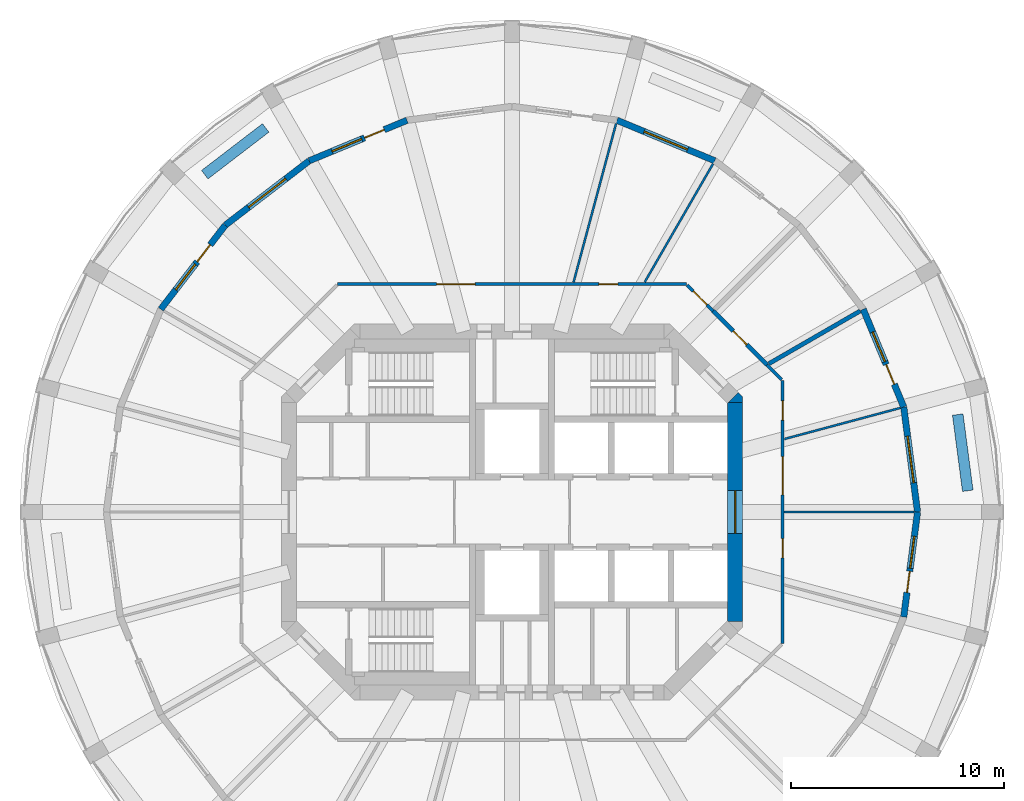
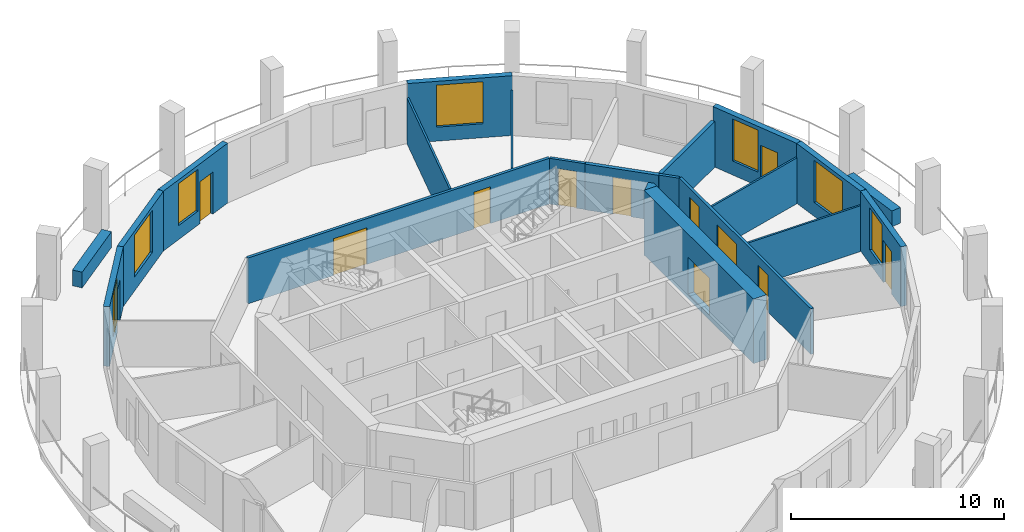
# One storey, part 6 of 9: 21 walls, 12 doors, 7 windows, 19 openings.
"""IFC4 building model written with IfcOpenShell, lengths in metres."""

import ifcopenshell
import ifcopenshell.guid

model = None  # the IFC model being written
_history = None  # IfcOwnerHistory: only IFC2X3 demands one
_inside = {}  # id of a spatial element -> (the spatial element, [elements in it])
_under = {}  # id of a project, library or spatial element -> (it, [spatial elements below it])
_declared = {}  # id of a project -> (the project, [libraries it declares])
_typed = {}  # id of a type object -> (the type object, [elements of that type])
_made_of = {}  # id of a material, layer set ... -> (it, [elements and type objects made of it])


def new_model(schema):
    """Start an empty IFC model of exactly this schema.

    Asked for "IFC4X3", IfcOpenShell would pick the latest addendum, in which some entities
    have other attributes; the version numbers below select the first issue.
    IFC2X3 requires an IfcOwnerHistory on every rooted entity: one is made here for all.
    """
    global model, _history
    if schema == "IFC4X3":
        model = ifcopenshell.file(schema_version=(4, 3, 0, 0))
    else:
        model = ifcopenshell.file(schema=schema)
    _inside.clear()
    _under.clear()
    _declared.clear()
    _typed.clear()
    _made_of.clear()
    _history = None
    if model.schema == "IFC2X3":
        org = make("IfcOrganization", Name="unknown")
        user = make(
            "IfcPersonAndOrganization",
            ThePerson=make("IfcPerson", FamilyName="unknown"),
            TheOrganization=org,
        )
        app = make(
            "IfcApplication",
            ApplicationDeveloper=org,
            Version="unknown",
            ApplicationFullName="unknown",
            ApplicationIdentifier="unknown",
        )
        _history = make(
            "IfcOwnerHistory",
            OwningUser=user,
            OwningApplication=app,
            ChangeAction="ADDED",
            CreationDate=0,
        )
    return model


def make(cls, **values):
    """One entity of the class cls with the attributes given. An attribute that is None is left unset."""
    return model.create_entity(
        cls, **{name: value for name, value in values.items() if value is not None}
    )


def rooted(cls, **values):
    """An entity with a GlobalId (a new one), such as an element, a storey or a relation."""
    return make(cls, GlobalId=ifcopenshell.guid.new(), OwnerHistory=_history, **values)


def si_unit(unit_type, name, prefix=None):
    """IfcSIUnit, for example si_unit("LENGTHUNIT", "METRE", prefix="MILLI")."""
    return make("IfcSIUnit", UnitType=unit_type, Prefix=prefix, Name=name)


def assignment(units):
    """IfcUnitAssignment: the units of a project."""
    return None if units is None else make("IfcUnitAssignment", Units=units)


def point(xyz):
    """IfcCartesianPoint."""
    return None if xyz is None else make("IfcCartesianPoint", Coordinates=xyz)


def direction(xyz):
    """IfcDirection."""
    return None if xyz is None else make("IfcDirection", DirectionRatios=xyz)


def frame(location, z_axis=None, x_axis=None):
    """IfcAxis2Placement3D, a coordinate frame: its origin and axes. An axis left out is left unset."""
    return make(
        "IfcAxis2Placement3D",
        Location=point(location),
        Axis=direction(z_axis),
        RefDirection=direction(x_axis),
    )


def frame_2d(location, x_axis=None):
    """IfcAxis2Placement2D, a coordinate frame in the plane: its origin and x axis."""
    return make(
        "IfcAxis2Placement2D", Location=point(location), RefDirection=direction(x_axis)
    )


def origin():
    """The frame at (0, 0, 0) with its axes left unset."""
    return frame((0.0, 0.0, 0.0))


def place(relative_to, where):
    """IfcLocalPlacement: puts the frame where relative to a parent placement (None: the world)."""
    return make(
        "IfcLocalPlacement", PlacementRelTo=relative_to, RelativePlacement=where
    )


def context(
    kind, dimensions, precision=None, world=None, true_north=None, identifier=None
):
    """IfcGeometricRepresentationContext, for example the 3D "Model" context."""
    return make(
        "IfcGeometricRepresentationContext",
        ContextIdentifier=identifier,
        ContextType=kind,
        CoordinateSpaceDimension=dimensions,
        Precision=precision,
        WorldCoordinateSystem=world,
        TrueNorth=true_north,
    )


def subcontext(parent, identifier, kind, view, scale=None):
    """IfcGeometricRepresentationSubContext, for example "Body" below "Model"."""
    return make(
        "IfcGeometricRepresentationSubContext",
        ContextIdentifier=identifier,
        ContextType=kind,
        ParentContext=parent,
        TargetScale=scale,
        TargetView=view,
    )


def project(units=None, contexts=None):
    """IfcProject with its units and contexts."""
    return rooted(
        "IfcProject",
        Name="project",
        RepresentationContexts=contexts,
        UnitsInContext=assignment(units),
    )


def spatial(cls, under=None, at=None, **own):
    """A site, building, storey or space (cls), placed at a placement, below another one or the project."""
    s = rooted(cls, ObjectPlacement=at, **own)
    if under is not None:
        _under.setdefault(under.id(), (under, []))[1].append(s)
    return s


def polyline(points):
    """IfcPolyline through the points."""
    return make("IfcPolyline", Points=[point(p) for p in points])


def profile(cls, at=None, kind="AREA", **sizes):
    """A parametric profile (cls). Its sizes go by their IFC names, for example OverallWidth=200.0."""
    return make(cls, ProfileType=kind, Position=at, **sizes)


def rectangle(**sizes):
    """IfcRectangleProfileDef."""
    return profile("IfcRectangleProfileDef", **sizes)


def outline(outer, holes=None, kind="AREA"):
    """IfcArbitraryClosedProfileDef: a profile drawn as a closed curve; with holes, ...WithVoids."""
    if holes is None:
        return make("IfcArbitraryClosedProfileDef", ProfileType=kind, OuterCurve=outer)
    return make(
        "IfcArbitraryProfileDefWithVoids",
        ProfileType=kind,
        OuterCurve=outer,
        InnerCurves=holes,
    )


def extrude(swept, where, along, depth):
    """IfcExtrudedAreaSolid: the profile swept, set in the frame where, extruded along a direction by depth."""
    return make(
        "IfcExtrudedAreaSolid",
        SweptArea=swept,
        Position=where,
        ExtrudedDirection=direction(along),
        Depth=depth,
    )


def shape(context_of_items, identifier, shape_type, items):
    """IfcShapeRepresentation: the items that make up one representation, for example the "Body"."""
    return make(
        "IfcShapeRepresentation",
        ContextOfItems=context_of_items,
        RepresentationIdentifier=identifier,
        RepresentationType=shape_type,
        Items=items,
    )


def material(Name=None, Category=None):
    """IfcMaterial."""
    return make("IfcMaterial", Name=Name, Category=Category)


def layer(
    of_material, thickness, ventilated=None, Name=None, Category=None, Priority=None
):
    """IfcMaterialLayer: one layer of a wall or slab, of a material (None: an air gap)."""
    return make(
        "IfcMaterialLayer",
        Material=of_material,
        LayerThickness=thickness,
        IsVentilated=ventilated,
        Name=Name,
        Category=Category,
        Priority=Priority,
    )


def layer_set(layers, Name=None):
    """IfcMaterialLayerSet."""
    return make("IfcMaterialLayerSet", MaterialLayers=layers, LayerSetName=Name)


def made_of(thing, what):
    """Note that an element or type object is made of a material, layer set ...; save() writes the relation."""
    if what is not None:
        _made_of.setdefault(what.id(), (what, []))[1].append(thing)
    return thing


def type_object(cls, material=None, **own):
    """A type object (cls), such as IfcWallType, which elements share."""
    return made_of(rooted(cls, **own), material)


def element(
    cls,
    number,
    at=None,
    inside=None,
    cuts=None,
    type_object=None,
    material=None,
    context=None,
    identifier="Body",
    shape_type=None,
    held_by="IfcProductDefinitionShape",
    body=None,
    shapes=None,
    **own,
):
    """One element of the class cls, such as IfcWall. Its Tag is "e" and its number.

    at: its placement. inside: the storey or other place that contains it. cuts: it is an
    opening in that element (IfcRelVoidsElement). A single representation is given by context,
    identifier, shape_type and body (its items); several are given by shapes. held_by: the class
    of the entity that holds the representations. save() writes the other relations.
    """
    e = rooted(cls, Tag="e%d" % number, ObjectPlacement=at, **own)
    if body is not None:
        shapes = [shape(context, identifier, shape_type, body)]
    if shapes is not None:
        e.Representation = make(held_by, Representations=shapes)
    if inside is not None:
        _inside.setdefault(inside.id(), (inside, []))[1].append(e)
    if cuts is not None:
        rooted(
            "IfcRelVoidsElement", RelatingBuildingElement=cuts, RelatedOpeningElement=e
        )
    if type_object is not None:
        _typed.setdefault(type_object.id(), (type_object, []))[1].append(e)
    return made_of(e, material)


def fill(opening, filler):
    """IfcRelFillsElement: the door or window that sits in an opening."""
    return rooted(
        "IfcRelFillsElement",
        RelatingOpeningElement=opening,
        RelatedBuildingElement=filler,
    )


def aggregate(whole, parts):
    """IfcRelAggregates: a whole, such as a stair, and the parts it consists of."""
    return rooted("IfcRelAggregates", RelatingObject=whole, RelatedObjects=parts)


def save(model, path):
    """Write the relations noted so far, then the file.

    IfcRelAggregates (storeys below a building ...), IfcRelContainedInSpatialStructure (elements
    in a storey), IfcRelDefinesByType, IfcRelAssociatesMaterial and IfcRelDeclares: one each for
    every whole, place, type object, material and project.
    """
    for whole, parts in _under.values():
        aggregate(whole, parts)
    for where, things in _inside.values():
        rooted(
            "IfcRelContainedInSpatialStructure",
            RelatedElements=things,
            RelatingStructure=where,
        )
    for kind, things in _typed.values():
        rooted("IfcRelDefinesByType", RelatedObjects=things, RelatingType=kind)
    for what, things in _made_of.values():
        rooted("IfcRelAssociatesMaterial", RelatedObjects=things, RelatingMaterial=what)
    for by, libraries in _declared.values():
        rooted("IfcRelDeclares", RelatingContext=by, RelatedDefinitions=libraries)
    model.write(path)


model = new_model("IFC4")

# Units and contexts
model_context = context("Model", 3, precision=1e-05, world=origin(), true_north=direction((0.0, 1.0)))
body_context = subcontext(model_context, "Body", "Model", "MODEL_VIEW")
ifc_project = project(units=[si_unit("LENGTHUNIT", "METRE"), si_unit("AREAUNIT", "SQUARE_METRE"), si_unit("VOLUMEUNIT", "CUBIC_METRE"), si_unit("PLANEANGLEUNIT", "RADIAN"), si_unit("MASSUNIT", "GRAM", prefix="KILO")], contexts=[model_context])

# Site, building, storey
site_placement = place(None, origin())
site = spatial("IfcSite", under=ifc_project, at=site_placement, CompositionType="ELEMENT")
building_placement = place(site_placement, origin())
building = spatial("IfcBuilding", under=site, at=building_placement, Name="Torre Triforio", CompositionType="ELEMENT")
storey_placement = place(building_placement, frame((0.0, 0.0, 172.699951171875)))
storey = spatial("IfcBuildingStorey", under=building, at=storey_placement, Name="L39", CompositionType="ELEMENT", Elevation=172.699951171875)

# Wall, opening, door
ifc_material_1 = material(Name="Concrete C50", Category="concrete")
ifc_layer_1 = layer(ifc_material_1, 0.699951171875)
ifc_layer_set_1 = layer_set([ifc_layer_1], Name="Concrete C50")
wall_type_1 = type_object("IfcWallType", Name="Core wall 700 mm C50 EI 120", PredefinedType="SHEAR", material=ifc_layer_set_1)
wall_1_placement = place(storey_placement, frame((10.449951171875, -5.1298828125, -0.280029296875), z_axis=(0.0, 0.0, 1.0), x_axis=(0.0, 1.0, 0.0)))
wall_1 = element("IfcWall", 1, at=wall_1_placement, inside=storey, type_object=wall_type_1, Name="Core wall", PredefinedType="SHEAR", context=body_context, shape_type="SweptSolid", body=[
    extrude(rectangle(XDim=10.259765625, YDim=0.699951171875, at=frame_2d((5.1298828125, 0.0))), origin(), (0.0, 0.0, 1.0), 3.7001953125),
])
opening_1_placement = place(wall_1_placement, frame((4.1298828125, 0.0, 0.280029296875)))
opening_1 = element("IfcOpeningElement", 2, at=opening_1_placement, cuts=wall_1, Name="Opening E-RING", PredefinedType="OPENING", context=body_context, shape_type="SweptSolid", body=[
    extrude(rectangle(XDim=2.0, YDim=2.10009765625, at=frame_2d((1.0, 1.050048828125))), frame((0.0, 0.35986328125, 0.0), z_axis=(0.0, -1.0, 0.0), x_axis=(1.0, 0.0, 0.0)), (0.0, 0.0, 1.0), 0.719970703125),
])
ifc_material_2 = material(Name="Hollow metal fire door leaf")
door_type_1 = type_object("IfcDoorType", Name="Lobby door 2000 x 2100 EI 60", OperationType="DOUBLE_DOOR_SINGLE_SWING", PredefinedType="DOOR", material=ifc_material_2)
door_1_placement = place(opening_1_placement, origin())
door_1 = element("IfcDoor", 3, at=door_1_placement, inside=storey, type_object=door_type_1, Name="Core door E-RING", OperationType="DOUBLE_DOOR_SINGLE_SWING", OverallHeight=2.10009765625, OverallWidth=2.0, PredefinedType="DOOR", context=body_context, shape_type="SweptSolid", body=[
    extrude(rectangle(XDim=2.0, YDim=2.10009765625, at=frame_2d((1.0, 1.050048828125))), frame((0.0, 0.02490234375, 0.0), z_axis=(0.0, -1.0, 0.0), x_axis=(1.0, 0.0, 0.0)), (0.0, 0.0, 1.0), 0.050048828125),
])
fill(opening_1, door_1)

# Wall
wall_2_placement = place(storey_placement, frame((0.0, 0.0, -0.280029296875)))
element("IfcWall", 4, at=wall_2_placement, inside=storey, type_object=wall_type_1, Name="Core wall", PredefinedType="SHEAR", context=body_context, shape_type="SweptSolid", body=[
    extrude(outline(polyline([(10.800048828125, 5.389892578125), (10.800048828125, 5.1298828125), (10.800048828125, 5.1298828125), (10.1298828125, 5.1298828125), (10.594970703125, 5.594970703125), (10.594970703125, 5.594970703125), (10.594970703125, 5.594970703125), (10.800048828125, 5.389892578125)])), origin(), (0.0, 0.0, 1.0), 3.7001953125),
])

# Wall, openings, doors
ifc_material_3 = material(Name="Plasterboard on metal studs")
ifc_layer_2 = layer(ifc_material_3, 0.14990234375)
ifc_layer_set_2 = layer_set([ifc_layer_2], Name="Plasterboard on metal studs")
wall_type_2 = type_object("IfcWallType", Name="Corridor and tenancy wall 150 mm EI 60", PredefinedType="PARTITIONING", material=ifc_layer_set_2)
wall_3_placement = place(storey_placement, frame((-8.16650390625, 10.675048828125, 0.0), z_axis=(0.0, 0.0, 1.0), x_axis=(1.0, 0.0, 0.0)))
wall_3 = element("IfcWall", 5, at=wall_3_placement, inside=storey, type_object=wall_type_2, Name="Partition 6", PredefinedType="PARTITIONING", context=body_context, shape_type="SweptSolid", body=[
    extrude(rectangle(XDim=16.3330078125, YDim=0.14990234375, at=frame_2d((8.16650390625, 0.0))), origin(), (0.0, 0.0, 1.0), 2.6201171875),
])
opening_2_placement = place(wall_3_placement, frame((4.639404296875, 0.0, 0.0)))
opening_2 = element("IfcOpeningElement", 6, at=opening_2_placement, cuts=wall_3, Name="Opening O2-01", PredefinedType="OPENING", context=body_context, shape_type="SweptSolid", body=[
    extrude(rectangle(XDim=1.800048828125, YDim=2.10009765625, at=frame_2d((0.89990234375, 1.050048828125))), frame((0.0, 0.0849609375, 0.0), z_axis=(0.0, -1.0, 0.0), x_axis=(1.0, 0.0, 0.0)), (0.0, 0.0, 1.0), 0.169921875),
])
opening_3_placement = place(wall_3_placement, frame((12.232421875, 0.0, 0.0)))
opening_3 = element("IfcOpeningElement", 7, at=opening_3_placement, cuts=wall_3, Name="Opening O2-16", PredefinedType="OPENING", context=body_context, shape_type="SweptSolid", body=[
    extrude(rectangle(XDim=0.89990234375, YDim=2.10009765625, at=frame_2d((0.449951171875, 1.050048828125))), frame((0.0, 0.0849609375, 0.0), z_axis=(0.0, -1.0, 0.0), x_axis=(1.0, 0.0, 0.0)), (0.0, 0.0, 1.0), 0.169921875),
])
ifc_material_4 = material(Name="Timber", Category="wood")
door_type_2 = type_object("IfcDoorType", Name="Door 1800 x 2100 double leaf EI 30", OperationType="DOUBLE_DOOR_SINGLE_SWING", PredefinedType="DOOR", material=ifc_material_4)
door_2_placement = place(opening_2_placement, origin())
door_2 = element("IfcDoor", 8, at=door_2_placement, inside=storey, type_object=door_type_2, Name="Door O2-01", OperationType="DOUBLE_DOOR_SINGLE_SWING", OverallHeight=2.10009765625, OverallWidth=1.800048828125, PredefinedType="DOOR", context=body_context, shape_type="SweptSolid", body=[
    extrude(rectangle(XDim=1.800048828125, YDim=2.10009765625, at=frame_2d((0.89990234375, 1.050048828125))), frame((0.0, 0.02490234375, 0.0), z_axis=(0.0, -1.0, 0.0), x_axis=(1.0, 0.0, 0.0)), (0.0, 0.0, 1.0), 0.050048828125),
])
fill(opening_2, door_2)
door_type_3 = type_object("IfcDoorType", Name="Door 900 x 2100 single leaf EI 30", OperationType="NOTDEFINED", PredefinedType="DOOR", material=ifc_material_4)
door_3_placement = place(opening_3_placement, origin())
door_3 = element("IfcDoor", 9, at=door_3_placement, inside=storey, type_object=door_type_3, Name="Door O2-16", OperationType="SINGLE_SWING_LEFT", OverallHeight=2.10009765625, OverallWidth=0.89990234375, PredefinedType="DOOR", context=body_context, shape_type="SweptSolid", body=[
    extrude(rectangle(XDim=0.89990234375, YDim=2.10009765625, at=frame_2d((0.449951171875, 1.050048828125))), frame((0.0, 0.02490234375, 0.0), z_axis=(0.0, -1.0, 0.0), x_axis=(1.0, 0.0, 0.0)), (0.0, 0.0, 1.0), 0.050048828125),
])
fill(opening_3, door_3)

# Wall, opening, door
wall_4_placement = place(storey_placement, frame((8.20361328125, 10.637939453125, 0.0), z_axis=(0.0, 0.0, 1.0), x_axis=(0.707177693966, -0.707035861295, 0.0)))
wall_4 = element("IfcWall", 10, at=wall_4_placement, inside=storey, type_object=wall_type_2, Name="Partition 7", PredefinedType="PARTITIONING", context=body_context, shape_type="SweptSolid", body=[
    extrude(rectangle(XDim=1.721435546875, YDim=0.14990234375, at=frame_2d((0.86083984375, 0.0))), origin(), (0.0, 0.0, 1.0), 2.6201171875),
])
opening_4_placement = place(wall_4_placement, frame((0.41064453125, 0.0, 0.0)))
opening_4 = element("IfcOpeningElement", 11, at=opening_4_placement, cuts=wall_4, Name="Opening O2-15", PredefinedType="OPENING", context=body_context, shape_type="SweptSolid", body=[
    extrude(rectangle(XDim=0.89990234375, YDim=2.10009765625, at=frame_2d((0.449951171875, 1.050048828125))), frame((0.0, 0.0849609375, 0.0), z_axis=(0.0, -1.0, 0.0), x_axis=(1.0, 0.0, 0.0)), (0.0, 0.0, 1.0), 0.169921875),
])
door_4_placement = place(opening_4_placement, origin())
door_4 = element("IfcDoor", 12, at=door_4_placement, inside=storey, type_object=door_type_3, Name="Door O2-15", OperationType="SINGLE_SWING_LEFT", OverallHeight=2.10009765625, OverallWidth=0.89990234375, PredefinedType="DOOR", context=body_context, shape_type="SweptSolid", body=[
    extrude(rectangle(XDim=0.89990234375, YDim=2.10009765625, at=frame_2d((0.449951171875, 1.050048828125))), frame((0.0, 0.02490234375, 0.0), z_axis=(0.0, -1.0, 0.0), x_axis=(1.0, 0.0, 0.0)), (0.0, 0.0, 1.0), 0.050048828125),
])
fill(opening_4, door_4)

# Wall
wall_5_placement = place(storey_placement, frame((11.945068359375, 6.896484375, 0.0), z_axis=(0.0, 0.0, 1.0), x_axis=(0.707106781187, -0.707106781187, 0.0)))
element("IfcWall", 13, at=wall_5_placement, inside=storey, type_object=wall_type_2, Name="Partition 9", PredefinedType="PARTITIONING", context=body_context, shape_type="SweptSolid", body=[
    extrude(rectangle(XDim=0.97998046875, YDim=0.14990234375, at=frame_2d((0.489990234375, 0.0))), origin(), (0.0, 0.0, 1.0), 2.6201171875),
])

# Wall, openings, doors
wall_6_placement = place(storey_placement, frame((12.675048828125, 6.16650390625, 0.0), z_axis=(0.0, 0.0, 1.0), x_axis=(0.0, -1.0, 0.0)))
wall_6 = element("IfcWall", 14, at=wall_6_placement, inside=storey, type_object=wall_type_2, Name="Partition 10", PredefinedType="PARTITIONING", context=body_context, shape_type="SweptSolid", body=[
    extrude(rectangle(XDim=12.3330078125, YDim=0.14990234375, at=frame_2d((6.16650390625, 0.0))), origin(), (0.0, 0.0, 1.0), 2.6201171875),
])
opening_5_placement = place(wall_6_placement, frame((7.41552734375, 0.0, 0.0)))
opening_5 = element("IfcOpeningElement", 15, at=opening_5_placement, cuts=wall_6, Name="Opening O2-11", PredefinedType="OPENING", context=body_context, shape_type="SweptSolid", body=[
    extrude(rectangle(XDim=0.89990234375, YDim=2.10009765625, at=frame_2d((0.449951171875, 1.050048828125))), frame((0.0, 0.0849609375, 0.0), z_axis=(0.0, -1.0, 0.0), x_axis=(1.0, 0.0, 0.0)), (0.0, 0.0, 1.0), 0.169921875),
])
opening_6_placement = place(wall_6_placement, frame((3.567626953125, 0.0, 0.0)))
opening_6 = element("IfcOpeningElement", 16, at=opening_6_placement, cuts=wall_6, Name="Opening O2-12", PredefinedType="OPENING", context=body_context, shape_type="SweptSolid", body=[
    extrude(rectangle(XDim=1.800048828125, YDim=2.10009765625, at=frame_2d((0.89990234375, 1.050048828125))), frame((0.0, 0.0849609375, 0.0), z_axis=(0.0, -1.0, 0.0), x_axis=(1.0, 0.0, 0.0)), (0.0, 0.0, 1.0), 0.169921875),
])
opening_7_placement = place(wall_6_placement, frame((0.960205078125, 0.0, 0.0)))
opening_7 = element("IfcOpeningElement", 17, at=opening_7_placement, cuts=wall_6, Name="Opening O2-13", PredefinedType="OPENING", context=body_context, shape_type="SweptSolid", body=[
    extrude(rectangle(XDim=0.89990234375, YDim=2.10009765625, at=frame_2d((0.449951171875, 1.050048828125))), frame((0.0, 0.0849609375, 0.0), z_axis=(0.0, -1.0, 0.0), x_axis=(1.0, 0.0, 0.0)), (0.0, 0.0, 1.0), 0.169921875),
])
door_5_placement = place(opening_6_placement, origin())
door_5 = element("IfcDoor", 18, at=door_5_placement, inside=storey, type_object=door_type_2, Name="Door O2-12", OperationType="DOUBLE_DOOR_SINGLE_SWING", OverallHeight=2.10009765625, OverallWidth=1.800048828125, PredefinedType="DOOR", context=body_context, shape_type="SweptSolid", body=[
    extrude(rectangle(XDim=1.800048828125, YDim=2.10009765625, at=frame_2d((0.89990234375, 1.050048828125))), frame((0.0, 0.02490234375, 0.0), z_axis=(0.0, -1.0, 0.0), x_axis=(1.0, 0.0, 0.0)), (0.0, 0.0, 1.0), 0.050048828125),
])
fill(opening_6, door_5)
door_6_placement = place(opening_5_placement, origin())
door_6 = element("IfcDoor", 19, at=door_6_placement, inside=storey, type_object=door_type_3, Name="Door O2-11", OperationType="SINGLE_SWING_LEFT", OverallHeight=2.10009765625, OverallWidth=0.89990234375, PredefinedType="DOOR", context=body_context, shape_type="SweptSolid", body=[
    extrude(rectangle(XDim=0.89990234375, YDim=2.10009765625, at=frame_2d((0.449951171875, 1.050048828125))), frame((0.0, 0.02490234375, 0.0), z_axis=(0.0, -1.0, 0.0), x_axis=(1.0, 0.0, 0.0)), (0.0, 0.0, 1.0), 0.050048828125),
])
fill(opening_5, door_6)
door_7_placement = place(opening_7_placement, origin())
door_7 = element("IfcDoor", 20, at=door_7_placement, inside=storey, type_object=door_type_3, Name="Door O2-13", OperationType="SINGLE_SWING_LEFT", OverallHeight=2.10009765625, OverallWidth=0.89990234375, PredefinedType="DOOR", context=body_context, shape_type="SweptSolid", body=[
    extrude(rectangle(XDim=0.89990234375, YDim=2.10009765625, at=frame_2d((0.449951171875, 1.050048828125))), frame((0.0, 0.02490234375, 0.0), z_axis=(0.0, -1.0, 0.0), x_axis=(1.0, 0.0, 0.0)), (0.0, 0.0, 1.0), 0.050048828125),
])
fill(opening_7, door_7)

# Walls
ifc_layer_3 = layer(ifc_material_3, 0.10009765625)
ifc_layer_set_3 = layer_set([ifc_layer_3], Name="Plasterboard on metal studs")
wall_type_3 = type_object("IfcWallType", Name="Partition 100 mm board on metal studs", PredefinedType="PARTITIONING", material=ifc_layer_set_3)
wall_7_placement = place(storey_placement, frame((12.75, 0.0, 0.0), z_axis=(0.0, 0.0, 1.0), x_axis=(1.0, 0.0, 0.0)))
element("IfcWall", 21, at=wall_7_placement, inside=storey, type_object=wall_type_3, Name="Partition 11", PredefinedType="PARTITIONING", context=body_context, shape_type="SweptSolid", body=[
    extrude(rectangle(XDim=6.086669921875, YDim=0.10009765625, at=frame_2d((3.04345703125, 0.0))), origin(), (0.0, 0.0, 1.0), 2.6201171875),
])
wall_8_placement = place(storey_placement, frame((12.764404296875, 3.420166015625, 0.0), z_axis=(0.0, 0.0, 1.0), x_axis=(0.965925759926, 0.258819292773, 0.0)))
element("IfcWall", 22, at=wall_8_placement, inside=storey, type_object=wall_type_3, Name="Partition 12", PredefinedType="PARTITIONING", context=body_context, shape_type="SweptSolid", body=[
    extrude(rectangle(XDim=5.6220703125, YDim=0.10009765625, at=frame_2d((2.81103515625, 0.0))), origin(), (0.0, 0.0, 1.0), 2.6201171875),
])
wall_9_placement = place(storey_placement, frame((6.220703125, 10.774658203125, 0.0), z_axis=(0.0, 0.0, 1.0), x_axis=(0.500023166934, 0.866012027936, 0.0)))
element("IfcWall", 23, at=wall_9_placement, inside=storey, type_object=wall_type_3, Name="Partition 15", PredefinedType="PARTITIONING", context=body_context, shape_type="SweptSolid", body=[
    extrude(rectangle(XDim=6.395263671875, YDim=0.10009765625, at=frame_2d((3.19775390625, 0.0))), origin(), (0.0, 0.0, 1.0), 2.6201171875),
])
wall_10_placement = place(storey_placement, frame((2.88427734375, 10.764404296875, 0.0), z_axis=(0.0, 0.0, 1.0), x_axis=(0.25881804804, 0.965926093451, 0.0)))
element("IfcWall", 24, at=wall_10_placement, inside=storey, type_object=wall_type_3, Name="Partition 16", PredefinedType="PARTITIONING", context=body_context, shape_type="SweptSolid", body=[
    extrude(rectangle(XDim=7.692626953125, YDim=0.10009765625, at=frame_2d((3.84619140625, 0.0))), origin(), (0.0, 0.0, 1.0), 2.6201171875),
])

# Wall, opening, door
ifc_material_5 = material(Name="Masonry block", Category="masonry")
ifc_layer_4 = layer(ifc_material_5, 0.199951171875)
ifc_layer_set_4 = layer_set([ifc_layer_4], Name="Masonry block")
wall_type_4 = type_object("IfcWallType", Name="Plant room wall 200 mm block EI 120", PredefinedType="PARTITIONING", material=ifc_layer_set_4)
wall_11_placement = place(storey_placement, frame((9.4208984375, 9.4208984375, 0.0), z_axis=(0.0, 0.0, 1.0), x_axis=(0.707072585922, -0.707140974798, 0.0)))
wall_11 = element("IfcWall", 25, at=wall_11_placement, inside=storey, type_object=wall_type_4, Name="Partition 8", PredefinedType="PARTITIONING", context=body_context, shape_type="SweptSolid", body=[
    extrude(rectangle(XDim=3.56982421875, YDim=0.199951171875, at=frame_2d((1.784912109375, 0.0))), origin(), (0.0, 0.0, 1.0), 2.6201171875),
])
opening_8_placement = place(wall_11_placement, frame((1.3349609375, 0.0, 0.0)))
opening_8 = element("IfcOpeningElement", 26, at=opening_8_placement, cuts=wall_11, Name="Opening O2-14", PredefinedType="OPENING", context=body_context, shape_type="SweptSolid", body=[
    extrude(rectangle(XDim=0.89990234375, YDim=2.10009765625, at=frame_2d((0.449951171875, 1.050048828125))), frame((0.0, 0.10986328125, 0.0), z_axis=(0.0, -1.0, 0.0), x_axis=(1.0, 0.0, 0.0)), (0.0, 0.0, 1.0), 0.219970703125),
])
door_type_4 = type_object("IfcDoorType", Name="Door 900 x 2100 single leaf EI 60", OperationType="NOTDEFINED", PredefinedType="DOOR", material=ifc_material_2)
door_8_placement = place(opening_8_placement, origin())
door_8 = element("IfcDoor", 27, at=door_8_placement, inside=storey, type_object=door_type_4, Name="Door O2-14", OperationType="SINGLE_SWING_LEFT", OverallHeight=2.10009765625, OverallWidth=0.89990234375, PredefinedType="DOOR", context=body_context, shape_type="SweptSolid", body=[
    extrude(rectangle(XDim=0.89990234375, YDim=2.10009765625, at=frame_2d((0.449951171875, 1.050048828125))), frame((0.0, 0.02490234375, 0.0), z_axis=(0.0, -1.0, 0.0), x_axis=(1.0, 0.0, 0.0)), (0.0, 0.0, 1.0), 0.050048828125),
])
fill(opening_8, door_8)

# Walls
wall_12_placement = place(storey_placement, frame((12.035888671875, 6.948974609375, 0.0), z_axis=(0.0, 0.0, 1.0), x_axis=(0.866016828037, 0.500014853336, 0.0)))
element("IfcWall", 28, at=wall_12_placement, inside=storey, type_object=wall_type_4, Name="Partition 13", PredefinedType="PARTITIONING", context=body_context, shape_type="SweptSolid", body=[
    extrude(rectangle(XDim=4.938720703125, YDim=0.199951171875, at=frame_2d((2.46923828125, 0.0))), origin(), (0.0, 0.0, 1.0), 2.6201171875),
])
ifc_material_6 = material(Name="Limestone cladding", Category="masonry")
ifc_layer_5 = layer(ifc_material_6, 0.10009765625)
ifc_material_7 = material(Name="Concrete C40", Category="concrete")
ifc_layer_6 = layer(ifc_material_7, 0.39990234375)
ifc_layer_set_5 = layer_set([ifc_layer_5, ifc_layer_6], Name="Limestone cladding / Concrete C40")
wall_type_5 = type_object("IfcWallType", Name="Planter wall 500", PredefinedType="PARAPET", material=ifc_layer_set_5)
wall_13_placement = place(storey_placement, frame((21.352783203125, 0.99560546875, 0.0), z_axis=(0.0, 0.0, 1.0), x_axis=(-0.130551000099, 0.991441595039, 0.0)))
element("IfcWall", 29, at=wall_13_placement, inside=storey, type_object=wall_type_5, Name="Planter L39 bay 01", PredefinedType="PARAPET", context=body_context, shape_type="SweptSolid", body=[
    extrude(rectangle(XDim=3.599853515625, YDim=0.5, at=frame_2d((1.7998046875, 0.0))), origin(), (0.0, 0.0, 1.0), 0.900146484375),
])
wall_14_placement = place(storey_placement, frame((-11.53857421875, 17.994140625, 0.0), z_axis=(0.0, 0.0, 1.0), x_axis=(-0.793384730612, -0.608720518162, 0.0)))
element("IfcWall", 30, at=wall_14_placement, inside=storey, type_object=wall_type_5, Name="Planter L39 bay 09", PredefinedType="PARAPET", context=body_context, shape_type="SweptSolid", body=[
    extrude(rectangle(XDim=3.60009765625, YDim=0.5, at=frame_2d((1.800048828125, 0.0))), origin(), (0.0, 0.0, 1.0), 0.900146484375),
])

# Wall, opening, window
ifc_layer_7 = layer(ifc_material_6, 0.10009765625)
ifc_layer_8 = layer(ifc_material_7, 0.199951171875)
ifc_layer_set_6 = layer_set([ifc_layer_7, ifc_layer_8], Name="Limestone cladding / Concrete C40")
wall_type_6 = type_object("IfcWallType", Name="Stone-faced composite wall 300", PredefinedType="STANDARD", material=ifc_layer_set_6)
wall_15_placement = place(storey_placement, frame((19.0, 0.0, 0.0), z_axis=(0.0, 0.0, 1.0), x_axis=(-0.130538549191, 0.991443234469, 0.0)))
wall_15 = element("IfcWall", 31, at=wall_15_placement, inside=storey, type_object=wall_type_6, Name="External wall L39 bay 01", PredefinedType="STANDARD", context=body_context, shape_type="SweptSolid", body=[
    extrude(rectangle(XDim=4.9599609375, YDim=0.300048828125, at=frame_2d((2.47998046875, 0.0))), origin(), (0.0, 0.0, 1.0), 3.420166015625),
])
opening_9_placement = place(wall_15_placement, frame((1.3798828125, 0.0, 0.800048828125)))
opening_9 = element("IfcOpeningElement", 32, at=opening_9_placement, cuts=wall_15, Name="Opening O2-W01", PredefinedType="OPENING", context=body_context, shape_type="SweptSolid", body=[
    extrude(rectangle(XDim=2.199951171875, YDim=2.39990234375, at=frame_2d((1.10009765625, 1.199951171875))), frame((0.0, 0.159912109375, 0.0), z_axis=(0.0, -1.0, 0.0), x_axis=(1.0, 0.0, 0.0)), (0.0, 0.0, 1.0), 0.320068359375),
])
ifc_material_8 = material(Name="Aluminium frame with clear double glazing", Category="aluminium")
window_type_1 = type_object("IfcWindowType", Name="Punched window 2200 x 2400", PartitioningType="DOUBLE_PANEL_VERTICAL", PredefinedType="WINDOW", material=ifc_material_8)
window_1_placement = place(opening_9_placement, origin())
window_1 = element("IfcWindow", 33, at=window_1_placement, inside=storey, type_object=window_type_1, Name="Window EWN5 L39 bay 01", OverallHeight=2.39990234375, OverallWidth=2.199951171875, PartitioningType="SINGLE_PANEL", PredefinedType="WINDOW", context=body_context, shape_type="SweptSolid", body=[
    extrude(rectangle(XDim=2.199951171875, YDim=2.39990234375, at=frame_2d((1.10009765625, 1.199951171875))), frame((0.0, 0.030029296875, 0.0), z_axis=(0.0, -1.0, 0.0), x_axis=(1.0, 0.0, 0.0)), (0.0, 0.0, 1.0), 0.06005859375),
])
fill(opening_9, window_1)

# Wall, openings, door, window
wall_16_placement = place(storey_placement, frame((18.3525390625, 4.91748046875, 0.0), z_axis=(0.0, 0.0, 1.0), x_axis=(-0.382650301762, 0.923893254961, 0.0)))
wall_16 = element("IfcWall", 34, at=wall_16_placement, inside=storey, type_object=wall_type_6, Name="External wall L39 bay 02", PredefinedType="STANDARD", context=body_context, shape_type="SweptSolid", body=[
    extrude(rectangle(XDim=4.9599609375, YDim=0.300048828125, at=frame_2d((2.47998046875, 0.0))), origin(), (0.0, 0.0, 1.0), 3.420166015625),
])
opening_10_placement = place(wall_16_placement, frame((1.155029296875, 0.0, 0.0)))
opening_10 = element("IfcOpeningElement", 35, at=opening_10_placement, cuts=wall_16, Name="Opening O2-D02", PredefinedType="OPENING", context=body_context, shape_type="SweptSolid", body=[
    extrude(rectangle(XDim=1.0, YDim=2.39990234375, at=frame_2d((0.5, 1.199951171875))), frame((0.0, 0.159912109375, 0.0), z_axis=(0.0, -1.0, 0.0), x_axis=(1.0, 0.0, 0.0)), (0.0, 0.0, 1.0), 0.320068359375),
])
opening_11_placement = place(wall_16_placement, frame((2.304931640625, 0.0, 0.800048828125)))
opening_11 = element("IfcOpeningElement", 36, at=opening_11_placement, cuts=wall_16, Name="Opening O2-W02A", PredefinedType="OPENING", context=body_context, shape_type="SweptSolid", body=[
    extrude(rectangle(XDim=1.5, YDim=2.39990234375, at=frame_2d((0.75, 1.199951171875))), frame((0.0, 0.159912109375, 0.0), z_axis=(0.0, -1.0, 0.0), x_axis=(1.0, 0.0, 0.0)), (0.0, 0.0, 1.0), 0.320068359375),
])
door_type_5 = type_object("IfcDoorType", Name="Loggia door 1000 x 2400", OperationType="NOTDEFINED", PredefinedType="DOOR", material=ifc_material_8)
door_9_placement = place(opening_10_placement, origin())
door_9 = element("IfcDoor", 37, at=door_9_placement, inside=storey, type_object=door_type_5, Name="Loggia door L39 bay 02", OperationType="SINGLE_SWING_LEFT", OverallHeight=2.39990234375, OverallWidth=1.0, PredefinedType="DOOR", context=body_context, shape_type="SweptSolid", body=[
    extrude(rectangle(XDim=1.0, YDim=2.39990234375, at=frame_2d((0.5, 1.199951171875))), frame((0.0, 0.02490234375, 0.0), z_axis=(0.0, -1.0, 0.0), x_axis=(1.0, 0.0, 0.0)), (0.0, 0.0, 1.0), 0.050048828125),
])
fill(opening_10, door_9)
window_type_2 = type_object("IfcWindowType", Name="Side window 1500 x 2400", PartitioningType="SINGLE_PANEL", PredefinedType="WINDOW", material=ifc_material_8)
window_2_placement = place(opening_11_placement, origin())
window_2 = element("IfcWindow", 38, at=window_2_placement, inside=storey, type_object=window_type_2, Name="Side window EWN14 L39 bay 02", OverallHeight=2.39990234375, OverallWidth=1.5, PartitioningType="SINGLE_PANEL", PredefinedType="WINDOW", context=body_context, shape_type="SweptSolid", body=[
    extrude(rectangle(XDim=1.5, YDim=2.39990234375, at=frame_2d((0.75, 1.199951171875))), frame((0.0, 0.030029296875, 0.0), z_axis=(0.0, -1.0, 0.0), x_axis=(1.0, 0.0, 0.0)), (0.0, 0.0, 1.0), 0.06005859375),
])
fill(opening_11, window_2)

# Wall, opening, window
wall_17_placement = place(storey_placement, frame((9.5, 16.45458984375, 0.0), z_axis=(0.0, 0.0, 1.0), x_axis=(-0.923893254961, 0.382650301762, 0.0)))
wall_17 = element("IfcWall", 39, at=wall_17_placement, inside=storey, type_object=wall_type_6, Name="External wall L39 bay 05", PredefinedType="STANDARD", context=body_context, shape_type="SweptSolid", body=[
    extrude(rectangle(XDim=4.9599609375, YDim=0.300048828125, at=frame_2d((2.47998046875, 0.0))), origin(), (0.0, 0.0, 1.0), 3.420166015625),
])
opening_12_placement = place(wall_17_placement, frame((1.3798828125, 0.0, 0.800048828125)))
opening_12 = element("IfcOpeningElement", 40, at=opening_12_placement, cuts=wall_17, Name="Opening O2-W05", PredefinedType="OPENING", context=body_context, shape_type="SweptSolid", body=[
    extrude(rectangle(XDim=2.199951171875, YDim=2.39990234375, at=frame_2d((1.10009765625, 1.199951171875))), frame((0.0, 0.159912109375, 0.0), z_axis=(0.0, -1.0, 0.0), x_axis=(1.0, 0.0, 0.0)), (0.0, 0.0, 1.0), 0.320068359375),
])
window_3_placement = place(opening_12_placement, origin())
window_3 = element("IfcWindow", 41, at=window_3_placement, inside=storey, type_object=window_type_1, Name="Window EWN5 L39 bay 05", OverallHeight=2.39990234375, OverallWidth=2.199951171875, PartitioningType="SINGLE_PANEL", PredefinedType="WINDOW", context=body_context, shape_type="SweptSolid", body=[
    extrude(rectangle(XDim=2.199951171875, YDim=2.39990234375, at=frame_2d((1.10009765625, 1.199951171875))), frame((0.0, 0.030029296875, 0.0), z_axis=(0.0, -1.0, 0.0), x_axis=(1.0, 0.0, 0.0)), (0.0, 0.0, 1.0), 0.06005859375),
])
fill(opening_12, window_3)

# Wall, openings, door, window
wall_18_placement = place(storey_placement, frame((-4.91748046875, 18.3525390625, 0.0), z_axis=(0.0, 0.0, 1.0), x_axis=(-0.923893254961, -0.382650301762, 0.0)))
wall_18 = element("IfcWall", 42, at=wall_18_placement, inside=storey, type_object=wall_type_6, Name="External wall L39 bay 08", PredefinedType="STANDARD", context=body_context, shape_type="SweptSolid", body=[
    extrude(rectangle(XDim=4.9599609375, YDim=0.300048828125, at=frame_2d((2.47998046875, 0.0))), origin(), (0.0, 0.0, 1.0), 3.420166015625),
])
opening_13_placement = place(wall_18_placement, frame((1.155029296875, 0.0, 0.0)))
opening_13 = element("IfcOpeningElement", 43, at=opening_13_placement, cuts=wall_18, Name="Opening O2-D08", PredefinedType="OPENING", context=body_context, shape_type="SweptSolid", body=[
    extrude(rectangle(XDim=1.0, YDim=2.39990234375, at=frame_2d((0.5, 1.199951171875))), frame((0.0, 0.159912109375, 0.0), z_axis=(0.0, -1.0, 0.0), x_axis=(1.0, 0.0, 0.0)), (0.0, 0.0, 1.0), 0.320068359375),
])
opening_14_placement = place(wall_18_placement, frame((2.304931640625, 0.0, 0.800048828125)))
opening_14 = element("IfcOpeningElement", 44, at=opening_14_placement, cuts=wall_18, Name="Opening O2-W08A", PredefinedType="OPENING", context=body_context, shape_type="SweptSolid", body=[
    extrude(rectangle(XDim=1.5, YDim=2.39990234375, at=frame_2d((0.75, 1.199951171875))), frame((0.0, 0.159912109375, 0.0), z_axis=(0.0, -1.0, 0.0), x_axis=(1.0, 0.0, 0.0)), (0.0, 0.0, 1.0), 0.320068359375),
])
door_10_placement = place(opening_13_placement, origin())
door_10 = element("IfcDoor", 45, at=door_10_placement, inside=storey, type_object=door_type_5, Name="Loggia door L39 bay 08", OperationType="SINGLE_SWING_LEFT", OverallHeight=2.39990234375, OverallWidth=1.0, PredefinedType="DOOR", context=body_context, shape_type="SweptSolid", body=[
    extrude(rectangle(XDim=1.0, YDim=2.39990234375, at=frame_2d((0.5, 1.199951171875))), frame((0.0, 0.02490234375, 0.0), z_axis=(0.0, -1.0, 0.0), x_axis=(1.0, 0.0, 0.0)), (0.0, 0.0, 1.0), 0.050048828125),
])
fill(opening_13, door_10)
window_4_placement = place(opening_14_placement, origin())
window_4 = element("IfcWindow", 46, at=window_4_placement, inside=storey, type_object=window_type_2, Name="Side window EWN14 L39 bay 08", OverallHeight=2.39990234375, OverallWidth=1.5, PartitioningType="SINGLE_PANEL", PredefinedType="WINDOW", context=body_context, shape_type="SweptSolid", body=[
    extrude(rectangle(XDim=1.5, YDim=2.39990234375, at=frame_2d((0.75, 1.199951171875))), frame((0.0, 0.030029296875, 0.0), z_axis=(0.0, -1.0, 0.0), x_axis=(1.0, 0.0, 0.0)), (0.0, 0.0, 1.0), 0.06005859375),
])
fill(opening_14, window_4)

# Wall, opening, window
wall_19_placement = place(storey_placement, frame((-9.5, 16.45458984375, 0.0), z_axis=(0.0, 0.0, 1.0), x_axis=(-0.793348024649, -0.608768356425, 0.0)))
wall_19 = element("IfcWall", 47, at=wall_19_placement, inside=storey, type_object=wall_type_6, Name="External wall L39 bay 09", PredefinedType="STANDARD", context=body_context, shape_type="SweptSolid", body=[
    extrude(rectangle(XDim=4.9599609375, YDim=0.300048828125, at=frame_2d((2.47998046875, 0.0))), origin(), (0.0, 0.0, 1.0), 3.420166015625),
])
opening_15_placement = place(wall_19_placement, frame((1.3798828125, 0.0, 0.800048828125)))
opening_15 = element("IfcOpeningElement", 48, at=opening_15_placement, cuts=wall_19, Name="Opening O2-W09", PredefinedType="OPENING", context=body_context, shape_type="SweptSolid", body=[
    extrude(rectangle(XDim=2.199951171875, YDim=2.39990234375, at=frame_2d((1.10009765625, 1.199951171875))), frame((0.0, 0.159912109375, 0.0), z_axis=(0.0, -1.0, 0.0), x_axis=(1.0, 0.0, 0.0)), (0.0, 0.0, 1.0), 0.320068359375),
])
window_5_placement = place(opening_15_placement, origin())
window_5 = element("IfcWindow", 49, at=window_5_placement, inside=storey, type_object=window_type_1, Name="Window EWN5 L39 bay 09", OverallHeight=2.39990234375, OverallWidth=2.199951171875, PartitioningType="SINGLE_PANEL", PredefinedType="WINDOW", context=body_context, shape_type="SweptSolid", body=[
    extrude(rectangle(XDim=2.199951171875, YDim=2.39990234375, at=frame_2d((1.10009765625, 1.199951171875))), frame((0.0, 0.030029296875, 0.0), z_axis=(0.0, -1.0, 0.0), x_axis=(1.0, 0.0, 0.0)), (0.0, 0.0, 1.0), 0.06005859375),
])
fill(opening_15, window_5)

# Wall, openings, door, window
wall_20_placement = place(storey_placement, frame((-13.43505859375, 13.43505859375, 0.0), z_axis=(0.0, 0.0, 1.0), x_axis=(-0.608768356425, -0.793348024649, 0.0)))
wall_20 = element("IfcWall", 50, at=wall_20_placement, inside=storey, type_object=wall_type_6, Name="External wall L39 bay 10", PredefinedType="STANDARD", context=body_context, shape_type="SweptSolid", body=[
    extrude(rectangle(XDim=4.9599609375, YDim=0.300048828125, at=frame_2d((2.47998046875, 0.0))), origin(), (0.0, 0.0, 1.0), 3.420166015625),
])
opening_16_placement = place(wall_20_placement, frame((1.155029296875, 0.0, 0.0)))
opening_16 = element("IfcOpeningElement", 51, at=opening_16_placement, cuts=wall_20, Name="Opening O2-D10", PredefinedType="OPENING", context=body_context, shape_type="SweptSolid", body=[
    extrude(rectangle(XDim=1.0, YDim=2.39990234375, at=frame_2d((0.5, 1.199951171875))), frame((0.0, 0.159912109375, 0.0), z_axis=(0.0, -1.0, 0.0), x_axis=(1.0, 0.0, 0.0)), (0.0, 0.0, 1.0), 0.320068359375),
])
opening_17_placement = place(wall_20_placement, frame((2.304931640625, 0.0, 0.800048828125)))
opening_17 = element("IfcOpeningElement", 52, at=opening_17_placement, cuts=wall_20, Name="Opening O2-W10A", PredefinedType="OPENING", context=body_context, shape_type="SweptSolid", body=[
    extrude(rectangle(XDim=1.5, YDim=2.39990234375, at=frame_2d((0.75, 1.199951171875))), frame((0.0, 0.159912109375, 0.0), z_axis=(0.0, -1.0, 0.0), x_axis=(1.0, 0.0, 0.0)), (0.0, 0.0, 1.0), 0.320068359375),
])
door_11_placement = place(opening_16_placement, origin())
door_11 = element("IfcDoor", 53, at=door_11_placement, inside=storey, type_object=door_type_5, Name="Loggia door L39 bay 10", OperationType="SINGLE_SWING_LEFT", OverallHeight=2.39990234375, OverallWidth=1.0, PredefinedType="DOOR", context=body_context, shape_type="SweptSolid", body=[
    extrude(rectangle(XDim=1.0, YDim=2.39990234375, at=frame_2d((0.5, 1.199951171875))), frame((0.0, 0.02490234375, 0.0), z_axis=(0.0, -1.0, 0.0), x_axis=(1.0, 0.0, 0.0)), (0.0, 0.0, 1.0), 0.050048828125),
])
fill(opening_16, door_11)
window_6_placement = place(opening_17_placement, origin())
window_6 = element("IfcWindow", 54, at=window_6_placement, inside=storey, type_object=window_type_2, Name="Side window EWN14 L39 bay 10", OverallHeight=2.39990234375, OverallWidth=1.5, PartitioningType="SINGLE_PANEL", PredefinedType="WINDOW", context=body_context, shape_type="SweptSolid", body=[
    extrude(rectangle(XDim=1.5, YDim=2.39990234375, at=frame_2d((0.75, 1.199951171875))), frame((0.0, 0.030029296875, 0.0), z_axis=(0.0, -1.0, 0.0), x_axis=(1.0, 0.0, 0.0)), (0.0, 0.0, 1.0), 0.06005859375),
])
fill(opening_17, window_6)

wall_21_placement = place(storey_placement, frame((18.3525390625, -4.91748046875, 0.0), z_axis=(0.0, 0.0, 1.0), x_axis=(0.130538549191, 0.991443234469, 0.0)))
wall_21 = element("IfcWall", 55, at=wall_21_placement, inside=storey, type_object=wall_type_6, Name="External wall L39 bay 24", PredefinedType="STANDARD", context=body_context, shape_type="SweptSolid", body=[
    extrude(rectangle(XDim=4.9599609375, YDim=0.300048828125, at=frame_2d((2.47998046875, 0.0))), origin(), (0.0, 0.0, 1.0), 3.420166015625),
])
opening_18_placement = place(wall_21_placement, frame((1.155029296875, 0.0, 0.0)))
opening_18 = element("IfcOpeningElement", 56, at=opening_18_placement, cuts=wall_21, Name="Opening O2-D24", PredefinedType="OPENING", context=body_context, shape_type="SweptSolid", body=[
    extrude(rectangle(XDim=1.0, YDim=2.39990234375, at=frame_2d((0.5, 1.199951171875))), frame((0.0, 0.159912109375, 0.0), z_axis=(0.0, -1.0, 0.0), x_axis=(1.0, 0.0, 0.0)), (0.0, 0.0, 1.0), 0.320068359375),
])
opening_19_placement = place(wall_21_placement, frame((2.304931640625, 0.0, 0.800048828125)))
opening_19 = element("IfcOpeningElement", 57, at=opening_19_placement, cuts=wall_21, Name="Opening O2-W24A", PredefinedType="OPENING", context=body_context, shape_type="SweptSolid", body=[
    extrude(rectangle(XDim=1.5, YDim=2.39990234375, at=frame_2d((0.75, 1.199951171875))), frame((0.0, 0.159912109375, 0.0), z_axis=(0.0, -1.0, 0.0), x_axis=(1.0, 0.0, 0.0)), (0.0, 0.0, 1.0), 0.320068359375),
])
door_12_placement = place(opening_18_placement, origin())
door_12 = element("IfcDoor", 58, at=door_12_placement, inside=storey, type_object=door_type_5, Name="Loggia door L39 bay 24", OperationType="SINGLE_SWING_LEFT", OverallHeight=2.39990234375, OverallWidth=1.0, PredefinedType="DOOR", context=body_context, shape_type="SweptSolid", body=[
    extrude(rectangle(XDim=1.0, YDim=2.39990234375, at=frame_2d((0.5, 1.199951171875))), frame((0.0, 0.02490234375, 0.0), z_axis=(0.0, -1.0, 0.0), x_axis=(1.0, 0.0, 0.0)), (0.0, 0.0, 1.0), 0.050048828125),
])
fill(opening_18, door_12)
window_7_placement = place(opening_19_placement, origin())
window_7 = element("IfcWindow", 59, at=window_7_placement, inside=storey, type_object=window_type_2, Name="Side window EWN14 L39 bay 24", OverallHeight=2.39990234375, OverallWidth=1.5, PartitioningType="SINGLE_PANEL", PredefinedType="WINDOW", context=body_context, shape_type="SweptSolid", body=[
    extrude(rectangle(XDim=1.5, YDim=2.39990234375, at=frame_2d((0.75, 1.199951171875))), frame((0.0, 0.030029296875, 0.0), z_axis=(0.0, -1.0, 0.0), x_axis=(1.0, 0.0, 0.0)), (0.0, 0.0, 1.0), 0.06005859375),
])
fill(opening_19, window_7)

save(model, "model.ifc")
